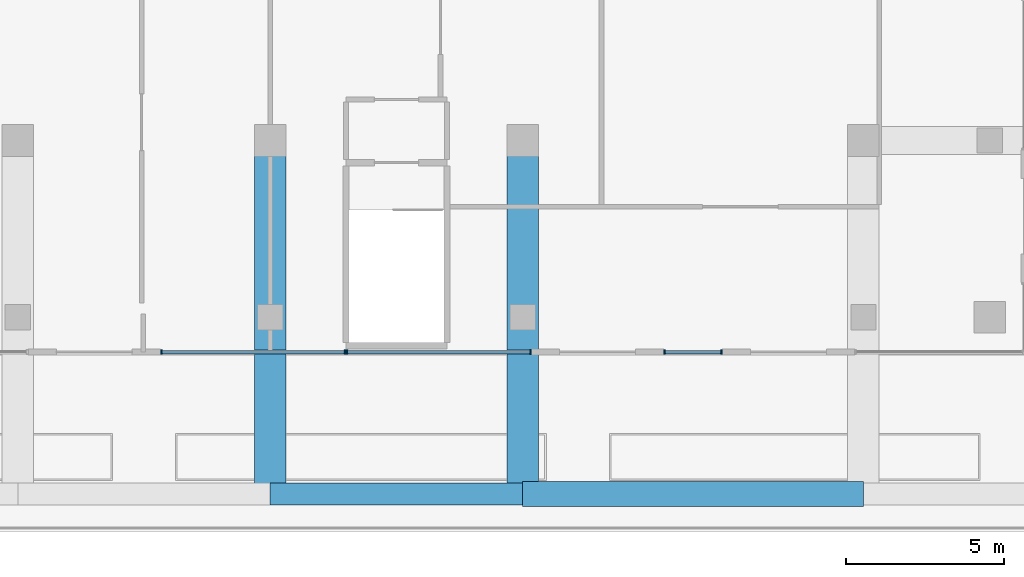
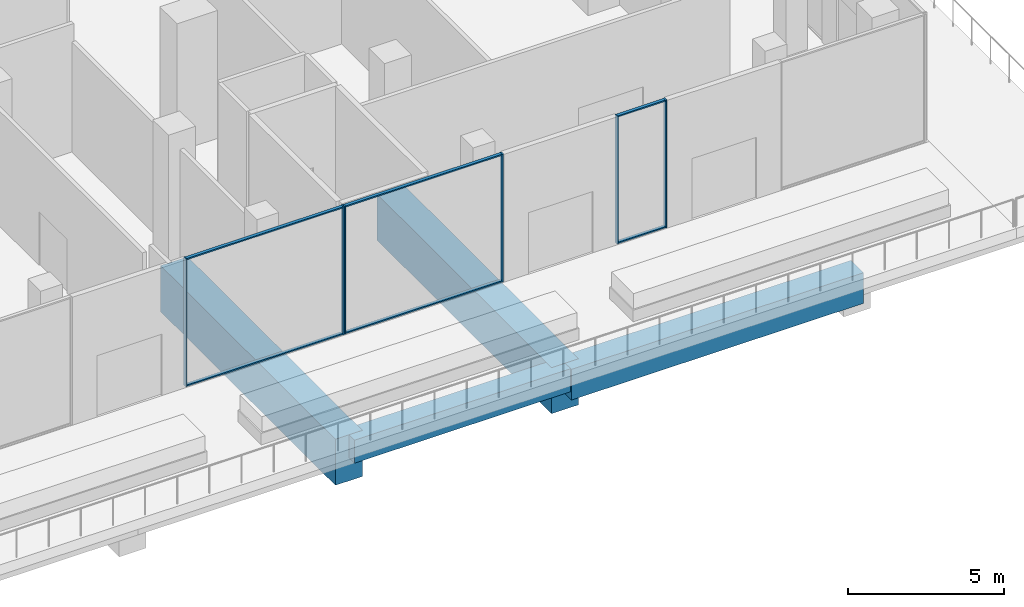
# One storey, part 6 of 29: 12 members, 4 beams, 3 elements without a shape of their own.
"""IFC4 building model written with IfcOpenShell, lengths in metres."""

import ifcopenshell
import ifcopenshell.guid

model = None  # the IFC model being written
_history = None  # IfcOwnerHistory: only IFC2X3 demands one
_inside = {}  # id of a spatial element -> (the spatial element, [elements in it])
_under = {}  # id of a project, library or spatial element -> (it, [spatial elements below it])
_declared = {}  # id of a project -> (the project, [libraries it declares])
_typed = {}  # id of a type object -> (the type object, [elements of that type])
_made_of = {}  # id of a material, layer set ... -> (it, [elements and type objects made of it])


def new_model(schema):
    """Start an empty IFC model of exactly this schema.

    Asked for "IFC4X3", IfcOpenShell would pick the latest addendum, in which some entities
    have other attributes; the version numbers below select the first issue.
    IFC2X3 requires an IfcOwnerHistory on every rooted entity: one is made here for all.
    """
    global model, _history
    if schema == "IFC4X3":
        model = ifcopenshell.file(schema_version=(4, 3, 0, 0))
    else:
        model = ifcopenshell.file(schema=schema)
    _inside.clear()
    _under.clear()
    _declared.clear()
    _typed.clear()
    _made_of.clear()
    _history = None
    if model.schema == "IFC2X3":
        org = make("IfcOrganization", Name="unknown")
        user = make(
            "IfcPersonAndOrganization",
            ThePerson=make("IfcPerson", FamilyName="unknown"),
            TheOrganization=org,
        )
        app = make(
            "IfcApplication",
            ApplicationDeveloper=org,
            Version="unknown",
            ApplicationFullName="unknown",
            ApplicationIdentifier="unknown",
        )
        _history = make(
            "IfcOwnerHistory",
            OwningUser=user,
            OwningApplication=app,
            ChangeAction="ADDED",
            CreationDate=0,
        )
    return model


def make(cls, **values):
    """One entity of the class cls with the attributes given. An attribute that is None is left unset."""
    return model.create_entity(
        cls, **{name: value for name, value in values.items() if value is not None}
    )


def rooted(cls, **values):
    """An entity with a GlobalId (a new one), such as an element, a storey or a relation."""
    return make(cls, GlobalId=ifcopenshell.guid.new(), OwnerHistory=_history, **values)


def si_unit(unit_type, name, prefix=None):
    """IfcSIUnit, for example si_unit("LENGTHUNIT", "METRE", prefix="MILLI")."""
    return make("IfcSIUnit", UnitType=unit_type, Prefix=prefix, Name=name)


def assignment(units):
    """IfcUnitAssignment: the units of a project."""
    return None if units is None else make("IfcUnitAssignment", Units=units)


def point(xyz):
    """IfcCartesianPoint."""
    return None if xyz is None else make("IfcCartesianPoint", Coordinates=xyz)


def direction(xyz):
    """IfcDirection."""
    return None if xyz is None else make("IfcDirection", DirectionRatios=xyz)


def frame(location, z_axis=None, x_axis=None):
    """IfcAxis2Placement3D, a coordinate frame: its origin and axes. An axis left out is left unset."""
    return make(
        "IfcAxis2Placement3D",
        Location=point(location),
        Axis=direction(z_axis),
        RefDirection=direction(x_axis),
    )


def frame_2d(location, x_axis=None):
    """IfcAxis2Placement2D, a coordinate frame in the plane: its origin and x axis."""
    return make(
        "IfcAxis2Placement2D", Location=point(location), RefDirection=direction(x_axis)
    )


def origin():
    """The frame at (0, 0, 0) with its axes left unset."""
    return frame((0.0, 0.0, 0.0))


def origin_2d():
    """The frame at (0, 0) in the plane with its x axis left unset."""
    return frame_2d((0.0, 0.0))


def place(relative_to, where):
    """IfcLocalPlacement: puts the frame where relative to a parent placement (None: the world)."""
    return make(
        "IfcLocalPlacement", PlacementRelTo=relative_to, RelativePlacement=where
    )


def context(
    kind, dimensions, precision=None, world=None, true_north=None, identifier=None
):
    """IfcGeometricRepresentationContext, for example the 3D "Model" context."""
    return make(
        "IfcGeometricRepresentationContext",
        ContextIdentifier=identifier,
        ContextType=kind,
        CoordinateSpaceDimension=dimensions,
        Precision=precision,
        WorldCoordinateSystem=world,
        TrueNorth=true_north,
    )


def subcontext(parent, identifier, kind, view, scale=None):
    """IfcGeometricRepresentationSubContext, for example "Body" below "Model"."""
    return make(
        "IfcGeometricRepresentationSubContext",
        ContextIdentifier=identifier,
        ContextType=kind,
        ParentContext=parent,
        TargetScale=scale,
        TargetView=view,
    )


def project(units=None, contexts=None):
    """IfcProject with its units and contexts."""
    return rooted(
        "IfcProject",
        Name="project",
        RepresentationContexts=contexts,
        UnitsInContext=assignment(units),
    )


def spatial(cls, under=None, at=None, **own):
    """A site, building, storey or space (cls), placed at a placement, below another one or the project."""
    s = rooted(cls, ObjectPlacement=at, **own)
    if under is not None:
        _under.setdefault(under.id(), (under, []))[1].append(s)
    return s


def profile(cls, at=None, kind="AREA", **sizes):
    """A parametric profile (cls). Its sizes go by their IFC names, for example OverallWidth=200.0."""
    return make(cls, ProfileType=kind, Position=at, **sizes)


def rectangle(**sizes):
    """IfcRectangleProfileDef."""
    return profile("IfcRectangleProfileDef", **sizes)


def extrude(swept, where, along, depth):
    """IfcExtrudedAreaSolid: the profile swept, set in the frame where, extruded along a direction by depth."""
    return make(
        "IfcExtrudedAreaSolid",
        SweptArea=swept,
        Position=where,
        ExtrudedDirection=direction(along),
        Depth=depth,
    )


def shape(context_of_items, identifier, shape_type, items):
    """IfcShapeRepresentation: the items that make up one representation, for example the "Body"."""
    return make(
        "IfcShapeRepresentation",
        ContextOfItems=context_of_items,
        RepresentationIdentifier=identifier,
        RepresentationType=shape_type,
        Items=items,
    )


def material(Name=None, Category=None):
    """IfcMaterial."""
    return make("IfcMaterial", Name=Name, Category=Category)


def layer(
    of_material, thickness, ventilated=None, Name=None, Category=None, Priority=None
):
    """IfcMaterialLayer: one layer of a wall or slab, of a material (None: an air gap)."""
    return make(
        "IfcMaterialLayer",
        Material=of_material,
        LayerThickness=thickness,
        IsVentilated=ventilated,
        Name=Name,
        Category=Category,
        Priority=Priority,
    )


def layer_set(layers, Name=None):
    """IfcMaterialLayerSet."""
    return make("IfcMaterialLayerSet", MaterialLayers=layers, LayerSetName=Name)


def material_profile(
    of_material, cross_section, Name=None, Category=None, Priority=None
):
    """IfcMaterialProfile: a cross section and its material."""
    return make(
        "IfcMaterialProfile",
        Name=Name,
        Material=of_material,
        Profile=cross_section,
        Priority=Priority,
        Category=Category,
    )


def profile_set(profiles, Name=None, composite=None):
    """IfcMaterialProfileSet."""
    return make(
        "IfcMaterialProfileSet",
        Name=Name,
        MaterialProfiles=profiles,
        CompositeProfile=composite,
    )


def made_of(thing, what):
    """Note that an element or type object is made of a material, layer set ...; save() writes the relation."""
    if what is not None:
        _made_of.setdefault(what.id(), (what, []))[1].append(thing)
    return thing


def type_object(cls, material=None, **own):
    """A type object (cls), such as IfcWallType, which elements share."""
    return made_of(rooted(cls, **own), material)


def element(
    cls,
    number,
    at=None,
    inside=None,
    cuts=None,
    type_object=None,
    material=None,
    context=None,
    identifier="Body",
    shape_type=None,
    held_by="IfcProductDefinitionShape",
    body=None,
    shapes=None,
    **own,
):
    """One element of the class cls, such as IfcWall. Its Tag is "e" and its number.

    at: its placement. inside: the storey or other place that contains it. cuts: it is an
    opening in that element (IfcRelVoidsElement). A single representation is given by context,
    identifier, shape_type and body (its items); several are given by shapes. held_by: the class
    of the entity that holds the representations. save() writes the other relations.
    """
    e = rooted(cls, Tag="e%d" % number, ObjectPlacement=at, **own)
    if body is not None:
        shapes = [shape(context, identifier, shape_type, body)]
    if shapes is not None:
        e.Representation = make(held_by, Representations=shapes)
    if inside is not None:
        _inside.setdefault(inside.id(), (inside, []))[1].append(e)
    if cuts is not None:
        rooted(
            "IfcRelVoidsElement", RelatingBuildingElement=cuts, RelatedOpeningElement=e
        )
    if type_object is not None:
        _typed.setdefault(type_object.id(), (type_object, []))[1].append(e)
    return made_of(e, material)


def aggregate(whole, parts):
    """IfcRelAggregates: a whole, such as a stair, and the parts it consists of."""
    return rooted("IfcRelAggregates", RelatingObject=whole, RelatedObjects=parts)


def save(model, path):
    """Write the relations noted so far, then the file.

    IfcRelAggregates (storeys below a building ...), IfcRelContainedInSpatialStructure (elements
    in a storey), IfcRelDefinesByType, IfcRelAssociatesMaterial and IfcRelDeclares: one each for
    every whole, place, type object, material and project.
    """
    for whole, parts in _under.values():
        aggregate(whole, parts)
    for where, things in _inside.values():
        rooted(
            "IfcRelContainedInSpatialStructure",
            RelatedElements=things,
            RelatingStructure=where,
        )
    for kind, things in _typed.values():
        rooted("IfcRelDefinesByType", RelatedObjects=things, RelatingType=kind)
    for what, things in _made_of.values():
        rooted("IfcRelAssociatesMaterial", RelatedObjects=things, RelatingMaterial=what)
    for by, libraries in _declared.values():
        rooted("IfcRelDeclares", RelatingContext=by, RelatedDefinitions=libraries)
    model.write(path)


model = new_model("IFC4")

# Units and contexts
model_context = context("Model", 3, precision=1e-05, world=origin(), true_north=direction((0.0, 1.0)))
body_context = subcontext(model_context, "Body", "Model", "MODEL_VIEW")
ifc_project = project(units=[si_unit("LENGTHUNIT", "METRE"), si_unit("AREAUNIT", "SQUARE_METRE"), si_unit("VOLUMEUNIT", "CUBIC_METRE"), si_unit("PLANEANGLEUNIT", "RADIAN"), si_unit("MASSUNIT", "GRAM", prefix="KILO")], contexts=[model_context])

# Site, building, storey
site_placement = place(None, origin())
site = spatial("IfcSite", under=ifc_project, at=site_placement, CompositionType="ELEMENT")
building_placement = place(site_placement, origin())
building = spatial("IfcBuilding", under=site, at=building_placement, Name="Triada Interchange Tower", CompositionType="ELEMENT")
storey_placement = place(building_placement, frame((0.0, 0.0, 19.89990234375)))
storey = spatial("IfcBuildingStorey", under=building, at=storey_placement, Name="L03", CompositionType="ELEMENT", Elevation=19.89990234375)

# Curtain wall, members
ifc_material_1 = material(Name="Aluminium framed glazing", Category="aluminium")
ifc_layer = layer(ifc_material_1, 0.199951171875)
ifc_layer_set = layer_set([ifc_layer], Name="Curtain wall Retail shopfront")
curtain_wall_type = type_object("IfcCurtainWallType", Name="Curtain wall Retail shopfront", PredefinedType="NOTDEFINED", material=ifc_layer_set)
curtain_wall_1_placement = place(storey_placement, origin())
curtain_wall_1 = element("IfcCurtainWall", 1, at=curtain_wall_1_placement, inside=storey, type_object=curtain_wall_type, Name="Retail shopfront CW004 L03", PredefinedType="NOTDEFINED")
ifc_material_2 = material(Name="Aluminium", Category="aluminium")
ifc_material_profile_1 = material_profile(ifc_material_2, rectangle(XDim=0.14990234375, YDim=0.050048828125, at=origin_2d()), Name="Aluminium mullion")
ifc_profile_set_1 = profile_set([ifc_material_profile_1], Name="Aluminium")
member_type_1 = type_object("IfcMemberType", Name="Mullion Retail shopfront 150x50", PredefinedType="MULLION", material=ifc_profile_set_1)
member_1_placement = place(storey_placement, frame((0.550048828125, -33.60009765625, 0.0), z_axis=(0.0, 0.0, 1.0), x_axis=(0.0, 1.0, 0.0)))
member_1 = element("IfcMember", 2, at=member_1_placement, type_object=member_type_1, Name="CW004 mullion 1", PredefinedType="MULLION", context=body_context, shape_type="SweptSolid", body=[
    extrude(rectangle(XDim=0.14990234375, YDim=0.050048828125, at=origin_2d()), origin(), (0.0, 0.0, 1.0), 5.0),
])
member_2_placement = place(storey_placement, frame((6.3701171875, -33.60009765625, 0.0), z_axis=(0.0, 0.0, 1.0), x_axis=(0.0, 1.0, 0.0)))
member_2 = element("IfcMember", 3, at=member_2_placement, type_object=member_type_1, Name="CW004 mullion 2", PredefinedType="MULLION", context=body_context, shape_type="SweptSolid", body=[
    extrude(rectangle(XDim=0.14990234375, YDim=0.050048828125, at=origin_2d()), origin(), (0.0, 0.0, 1.0), 5.0),
])

curtain_wall_2_placement = place(storey_placement, origin())
curtain_wall_2 = element("IfcCurtainWall", 4, at=curtain_wall_2_placement, inside=storey, type_object=curtain_wall_type, Name="Retail shopfront CW005 L03", PredefinedType="NOTDEFINED")
member_3_placement = place(storey_placement, frame((6.429931640625, -33.60009765625, 0.0), z_axis=(0.0, 0.0, 1.0), x_axis=(0.0, 1.0, 0.0)))
member_3 = element("IfcMember", 5, at=member_3_placement, type_object=member_type_1, Name="CW005 mullion 1", PredefinedType="MULLION", context=body_context, shape_type="SweptSolid", body=[
    extrude(rectangle(XDim=0.14990234375, YDim=0.050048828125, at=origin_2d()), origin(), (0.0, 0.0, 1.0), 5.0),
])
member_4_placement = place(storey_placement, frame((12.25, -33.60009765625, 0.0), z_axis=(0.0, 0.0, 1.0), x_axis=(0.0, 1.0, 0.0)))
member_4 = element("IfcMember", 6, at=member_4_placement, type_object=member_type_1, Name="CW005 mullion 2", PredefinedType="MULLION", context=body_context, shape_type="SweptSolid", body=[
    extrude(rectangle(XDim=0.14990234375, YDim=0.050048828125, at=origin_2d()), origin(), (0.0, 0.0, 1.0), 5.0),
])

curtain_wall_3_placement = place(storey_placement, origin())
curtain_wall_3 = element("IfcCurtainWall", 7, at=curtain_wall_3_placement, inside=storey, type_object=curtain_wall_type, Name="Retail shopfront CW006 L03", PredefinedType="NOTDEFINED")
member_5_placement = place(storey_placement, frame((16.5, -33.60009765625, 0.0), z_axis=(0.0, 0.0, 1.0), x_axis=(0.0, 1.0, 0.0)))
member_5 = element("IfcMember", 8, at=member_5_placement, type_object=member_type_1, Name="CW006 mullion 1", PredefinedType="MULLION", context=body_context, shape_type="SweptSolid", body=[
    extrude(rectangle(XDim=0.14990234375, YDim=0.050048828125, at=origin_2d()), origin(), (0.0, 0.0, 1.0), 5.0),
])
member_6_placement = place(storey_placement, frame((18.300048828125, -33.60009765625, 0.0), z_axis=(0.0, 0.0, 1.0), x_axis=(0.0, 1.0, 0.0)))
member_6 = element("IfcMember", 9, at=member_6_placement, type_object=member_type_1, Name="CW006 mullion 2", PredefinedType="MULLION", context=body_context, shape_type="SweptSolid", body=[
    extrude(rectangle(XDim=0.14990234375, YDim=0.050048828125, at=origin_2d()), origin(), (0.0, 0.0, 1.0), 5.0),
])

# Beams
ifc_material_3 = material(Name="Concrete C40/50", Category="concrete")
ifc_material_profile_2 = material_profile(ifc_material_3, rectangle(XDim=0.699951171875, YDim=0.89990234375, at=origin_2d()), Name="RC 700x900")
ifc_profile_set_2 = profile_set([ifc_material_profile_2], Name="Concrete C40/50")
beam_type_1 = type_object("IfcBeamType", Name="Terrace beam RC 700x900", PredefinedType="BEAM", material=ifc_profile_set_2)
beam_1_placement = place(storey_placement, frame((4.0, -38.10009765625, -0.849853515625), z_axis=(1.0, 0.0, 0.0), x_axis=(0.0, 1.0, 0.0)))
element("IfcBeam", 10, at=beam_1_placement, inside=storey, type_object=beam_type_1, Name="Terrace beam TE08 L03", PredefinedType="BEAM", context=body_context, shape_type="SweptSolid", body=[
    extrude(rectangle(XDim=0.699951171875, YDim=0.89990234375, at=origin_2d()), origin(), (0.0, 0.0, 1.0), 8.0),
])
ifc_material_profile_3 = material_profile(ifc_material_3, rectangle(XDim=0.800048828125, YDim=1.199951171875, at=origin_2d()), Name="RC 800x1200")
ifc_profile_set_3 = profile_set([ifc_material_profile_3], Name="Concrete C40/50")
beam_type_2 = type_object("IfcBeamType", Name="Terrace beam RC 800x1200", PredefinedType="BEAM", material=ifc_profile_set_3)
beam_2_placement = place(storey_placement, frame((12.0, -38.10009765625, -1.0), z_axis=(1.0, 0.0, 0.0), x_axis=(0.0, 1.0, 0.0)))
element("IfcBeam", 11, at=beam_2_placement, inside=storey, type_object=beam_type_2, Name="Terrace beam TE09 L03", PredefinedType="BEAM", context=body_context, shape_type="SweptSolid", body=[
    extrude(rectangle(XDim=0.800048828125, YDim=1.199951171875, at=origin_2d()), origin(), (0.0, 0.0, 1.0), 10.800048828125),
])
ifc_material_4 = material(Name="Concrete C50/60", Category="concrete")
ifc_material_profile_4 = material_profile(ifc_material_4, rectangle(XDim=1.0, YDim=1.800048828125, at=origin_2d()), Name="RC 1000x1800")
ifc_profile_set_4 = profile_set([ifc_material_profile_4], Name="Concrete C50/60")
beam_type_3 = type_object("IfcBeamType", Name="Transfer girder RC 1000x1800", PredefinedType="BEAM", material=ifc_profile_set_4)
for number, where, z_axis, x_axis, name in (
    (12, (4.0, -38.10009765625, -1.2998046875), (0.0, 1.0, 0.0), (-1.0, 0.0, 0.0), "Transfer girder TG06 L03"),
    (13, (12.0, -38.10009765625, -1.2998046875), (0.0, 1.0, 0.0), (-1.0, 0.0, 0.0), "Transfer girder TG07 L03"),
):
    element("IfcBeam", number, at=place(storey_placement, frame(where, z_axis=z_axis, x_axis=x_axis)), inside=storey, type_object=beam_type_3, Name=name, PredefinedType="BEAM", context=body_context, shape_type="SweptSolid", body=[
        extrude(rectangle(XDim=1.0, YDim=1.800048828125, at=origin_2d()), origin(), (0.0, 0.0, 1.0), 11.2001953125),
    ])

# Member
ifc_material_profile_5 = material_profile(ifc_material_2, rectangle(XDim=0.1201171875, YDim=0.050048828125, at=origin_2d()), Name="Aluminium transom")
ifc_profile_set_5 = profile_set([ifc_material_profile_5], Name="Aluminium")
member_type_2 = type_object("IfcMemberType", Name="Transom Retail shopfront 120x50", PredefinedType="USERDEFINED", material=ifc_profile_set_5)
member_7_placement = place(storey_placement, frame((0.574951171875, -33.60009765625, 0.025146484375), z_axis=(1.0, 0.0, 0.0), x_axis=(0.0, 1.0, 0.0)))
member_7 = element("IfcMember", 14, at=member_7_placement, type_object=member_type_2, Name="CW004 transom 1.1", ObjectType="TRANSOM", PredefinedType="USERDEFINED", context=body_context, shape_type="SweptSolid", body=[
    extrude(rectangle(XDim=0.1201171875, YDim=0.050048828125, at=origin_2d()), origin(), (0.0, 0.0, 1.0), 5.77001953125),
])

member_8_placement = place(storey_placement, frame((0.574951171875, -33.60009765625, 4.97509765625), z_axis=(1.0, 0.0, 0.0), x_axis=(0.0, 1.0, 0.0)))
member_8 = element("IfcMember", 15, at=member_8_placement, type_object=member_type_2, Name="CW004 transom 1.2", ObjectType="TRANSOM", PredefinedType="USERDEFINED", context=body_context, shape_type="SweptSolid", body=[
    extrude(rectangle(XDim=0.1201171875, YDim=0.050048828125, at=origin_2d()), origin(), (0.0, 0.0, 1.0), 5.77001953125),
])

aggregate(curtain_wall_1, [member_1, member_2, member_7, member_8])

member_9_placement = place(storey_placement, frame((6.455078125, -33.60009765625, 0.025146484375), z_axis=(1.0, 0.0, 0.0), x_axis=(0.0, 1.0, 0.0)))
member_9 = element("IfcMember", 16, at=member_9_placement, type_object=member_type_2, Name="CW005 transom 1.1", ObjectType="TRANSOM", PredefinedType="USERDEFINED", context=body_context, shape_type="SweptSolid", body=[
    extrude(rectangle(XDim=0.1201171875, YDim=0.050048828125, at=origin_2d()), origin(), (0.0, 0.0, 1.0), 5.77001953125),
])

member_10_placement = place(storey_placement, frame((6.455078125, -33.60009765625, 4.97509765625), z_axis=(1.0, 0.0, 0.0), x_axis=(0.0, 1.0, 0.0)))
member_10 = element("IfcMember", 17, at=member_10_placement, type_object=member_type_2, Name="CW005 transom 1.2", ObjectType="TRANSOM", PredefinedType="USERDEFINED", context=body_context, shape_type="SweptSolid", body=[
    extrude(rectangle(XDim=0.1201171875, YDim=0.050048828125, at=origin_2d()), origin(), (0.0, 0.0, 1.0), 5.77001953125),
])

aggregate(curtain_wall_2, [member_3, member_4, member_9, member_10])

member_11_placement = place(storey_placement, frame((16.52490234375, -33.60009765625, 0.025146484375), z_axis=(1.0, 0.0, 0.0), x_axis=(0.0, 1.0, 0.0)))
member_11 = element("IfcMember", 18, at=member_11_placement, type_object=member_type_2, Name="CW006 transom 1.1", ObjectType="TRANSOM", PredefinedType="USERDEFINED", context=body_context, shape_type="SweptSolid", body=[
    extrude(rectangle(XDim=0.1201171875, YDim=0.050048828125, at=origin_2d()), origin(), (0.0, 0.0, 1.0), 1.75),
])

member_12_placement = place(storey_placement, frame((16.52490234375, -33.60009765625, 4.97509765625), z_axis=(1.0, 0.0, 0.0), x_axis=(0.0, 1.0, 0.0)))
member_12 = element("IfcMember", 19, at=member_12_placement, type_object=member_type_2, Name="CW006 transom 1.2", ObjectType="TRANSOM", PredefinedType="USERDEFINED", context=body_context, shape_type="SweptSolid", body=[
    extrude(rectangle(XDim=0.1201171875, YDim=0.050048828125, at=origin_2d()), origin(), (0.0, 0.0, 1.0), 1.75),
])

aggregate(curtain_wall_3, [member_5, member_6, member_11, member_12])

save(model, "model.ifc")
